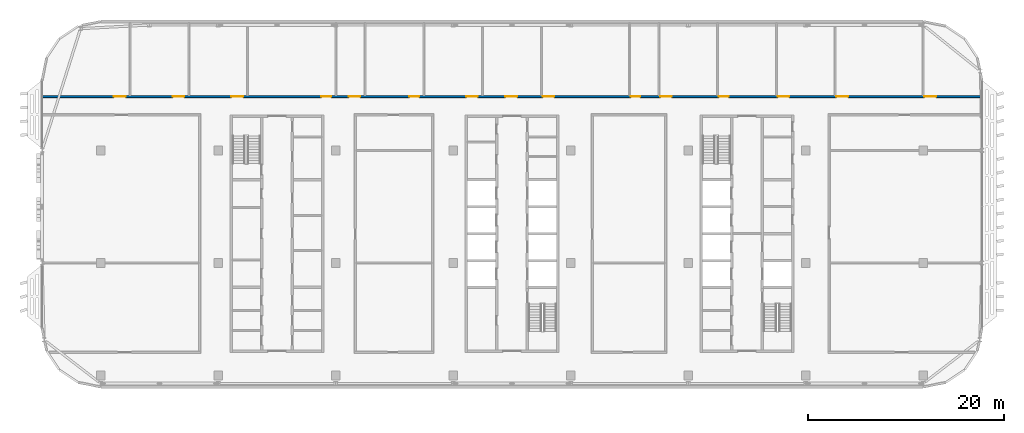
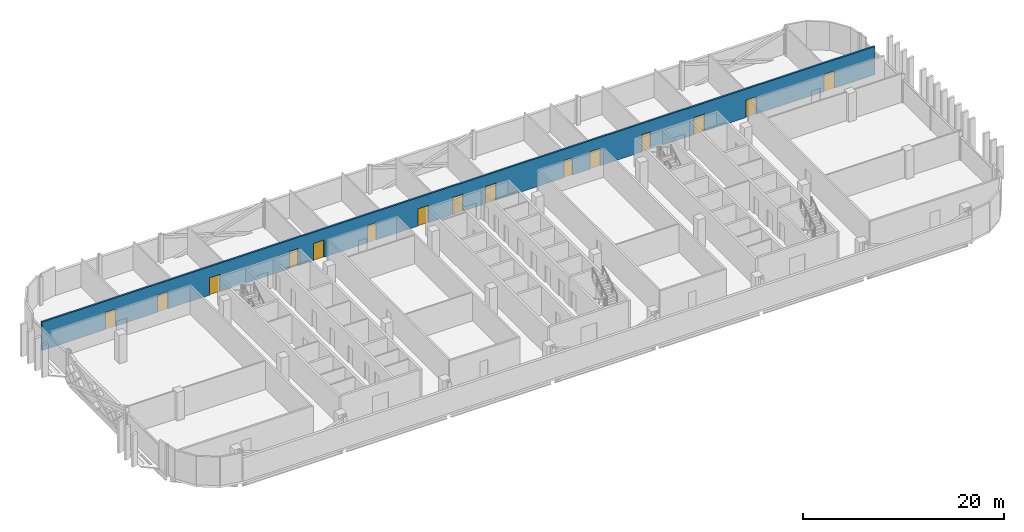
# One storey, part 13 of 25: 15 doors, 1 wall, 15 openings.
"""IFC4 building model written with IfcOpenShell, lengths in metres."""

from ifc_helpers import new_model, si_unit, direction, frame, frame_2d, origin, place, context, subcontext, project, spatial, rectangle, extrude, material, layer, layer_set, type_object, element, fill, save


model = new_model("IFC4")

# Units and contexts
model_context = context("Model", 3, precision=1e-05, world=origin(), true_north=direction((0.0, 1.0)))
body_context = subcontext(model_context, "Body", "Model", "MODEL_VIEW")
ifc_project = project(units=[si_unit("LENGTHUNIT", "METRE"), si_unit("AREAUNIT", "SQUARE_METRE"), si_unit("VOLUMEUNIT", "CUBIC_METRE"), si_unit("PLANEANGLEUNIT", "RADIAN"), si_unit("MASSUNIT", "GRAM", prefix="KILO")], contexts=[model_context])

# Site, building, storey
site_placement = place(None, origin())
site = spatial("IfcSite", under=ifc_project, at=site_placement, CompositionType="ELEMENT")
building_placement = place(site_placement, origin())
building = spatial("IfcBuilding", under=site, at=building_placement, Name="Mahtab Terrace Research Tower", CompositionType="ELEMENT")
storey_placement = place(building_placement, frame((0.0, 0.0, 278.5)))
storey = spatial("IfcBuildingStorey", under=building, at=storey_placement, Name="L68", CompositionType="ELEMENT", Elevation=278.5)

# Wall, openings, doors
ifc_material_1 = material(Name="Gypsum board corridor wall on steel studs", Category="steel")
ifc_layer = layer(ifc_material_1, 0.199951171875)
ifc_layer_set = layer_set([ifc_layer], Name="WALL CORRIDOR 200")
wall_type = type_object("IfcWallType", Name="WALL CORRIDOR 200", PredefinedType="PARTITIONING", material=ifc_layer_set)
wall_placement = place(storey_placement, frame((-47.97509765625, 17.0, 0.0), z_axis=(0.0, 0.0, 1.0), x_axis=(1.0, 0.0, 0.0)))
wall = element("IfcWall", 1, at=wall_placement, inside=storey, type_object=wall_type, Name="L68-W018", PredefinedType="PARTITIONING", context=body_context, shape_type="SweptSolid", body=[
    extrude(rectangle(XDim=95.9501953125, YDim=0.199951171875, at=frame_2d((47.97509765625, 0.0))), origin(), (0.0, 0.0, 1.0), 3.4599609375),
])
opening_1_placement = place(wall_placement, frame((7.300048828125, 0.0, 0.0)))
opening_1 = element("IfcOpeningElement", 2, at=opening_1_placement, cuts=wall, Name="Opening L68-111", PredefinedType="OPENING", context=body_context, shape_type="SweptSolid", body=[
    extrude(rectangle(XDim=1.199951171875, YDim=2.10009765625, at=frame_2d((0.60009765625, 1.050048828125))), frame((0.0, 0.10986328125, 0.0), z_axis=(0.0, -1.0, 0.0), x_axis=(1.0, 0.0, 0.0)), (0.0, 0.0, 1.0), 0.219970703125),
])
opening_2_placement = place(wall_placement, frame((13.300048828125, 0.0, 0.0)))
opening_2 = element("IfcOpeningElement", 3, at=opening_2_placement, cuts=wall, Name="Opening L68-112", PredefinedType="OPENING", context=body_context, shape_type="SweptSolid", body=[
    extrude(rectangle(XDim=1.199951171875, YDim=2.10009765625, at=frame_2d((0.60009765625, 1.050048828125))), frame((0.0, 0.10986328125, 0.0), z_axis=(0.0, -1.0, 0.0), x_axis=(1.0, 0.0, 0.0)), (0.0, 0.0, 1.0), 0.219970703125),
])
opening_3_placement = place(wall_placement, frame((19.300048828125, 0.0, 0.0)))
opening_3 = element("IfcOpeningElement", 4, at=opening_3_placement, cuts=wall, Name="Opening L68-113", PredefinedType="OPENING", context=body_context, shape_type="SweptSolid", body=[
    extrude(rectangle(XDim=1.199951171875, YDim=2.10009765625, at=frame_2d((0.60009765625, 1.050048828125))), frame((0.0, 0.10986328125, 0.0), z_axis=(0.0, -1.0, 0.0), x_axis=(1.0, 0.0, 0.0)), (0.0, 0.0, 1.0), 0.219970703125),
])
opening_4_placement = place(wall_placement, frame((28.5, 0.0, 0.0)))
opening_4 = element("IfcOpeningElement", 5, at=opening_4_placement, cuts=wall, Name="Opening L68-114", PredefinedType="OPENING", context=body_context, shape_type="SweptSolid", body=[
    extrude(rectangle(XDim=1.0, YDim=2.10009765625, at=frame_2d((0.5, 1.050048828125))), frame((0.0, 0.10986328125, 0.0), z_axis=(0.0, -1.0, 0.0), x_axis=(1.0, 0.0, 0.0)), (0.0, 0.0, 1.0), 0.219970703125),
])
opening_5_placement = place(wall_placement, frame((31.300048828125, 0.0, 0.0)))
opening_5 = element("IfcOpeningElement", 6, at=opening_5_placement, cuts=wall, Name="Opening L68-115", PredefinedType="OPENING", context=body_context, shape_type="SweptSolid", body=[
    extrude(rectangle(XDim=1.199951171875, YDim=2.10009765625, at=frame_2d((0.60009765625, 1.050048828125))), frame((0.0, 0.10986328125, 0.0), z_axis=(0.0, -1.0, 0.0), x_axis=(1.0, 0.0, 0.0)), (0.0, 0.0, 1.0), 0.219970703125),
])
opening_6_placement = place(wall_placement, frame((37.5, 0.0, 0.0)))
opening_6 = element("IfcOpeningElement", 7, at=opening_6_placement, cuts=wall, Name="Opening L68-116", PredefinedType="OPENING", context=body_context, shape_type="SweptSolid", body=[
    extrude(rectangle(XDim=1.0, YDim=2.10009765625, at=frame_2d((0.5, 1.050048828125))), frame((0.0, 0.10986328125, 0.0), z_axis=(0.0, -1.0, 0.0), x_axis=(1.0, 0.0, 0.0)), (0.0, 0.0, 1.0), 0.219970703125),
])
opening_7_placement = place(wall_placement, frame((43.300048828125, 0.0, 0.0)))
opening_7 = element("IfcOpeningElement", 8, at=opening_7_placement, cuts=wall, Name="Opening L68-117", PredefinedType="OPENING", context=body_context, shape_type="SweptSolid", body=[
    extrude(rectangle(XDim=1.199951171875, YDim=2.10009765625, at=frame_2d((0.60009765625, 1.050048828125))), frame((0.0, 0.10986328125, 0.0), z_axis=(0.0, -1.0, 0.0), x_axis=(1.0, 0.0, 0.0)), (0.0, 0.0, 1.0), 0.219970703125),
])
opening_8_placement = place(wall_placement, frame((47.300048828125, 0.0, 0.0)))
opening_8 = element("IfcOpeningElement", 9, at=opening_8_placement, cuts=wall, Name="Opening L68-118", PredefinedType="OPENING", context=body_context, shape_type="SweptSolid", body=[
    extrude(rectangle(XDim=1.199951171875, YDim=2.10009765625, at=frame_2d((0.60009765625, 1.050048828125))), frame((0.0, 0.10986328125, 0.0), z_axis=(0.0, -1.0, 0.0), x_axis=(1.0, 0.0, 0.0)), (0.0, 0.0, 1.0), 0.219970703125),
])
opening_9_placement = place(wall_placement, frame((51.10009765625, 0.0, 0.0)))
opening_9 = element("IfcOpeningElement", 10, at=opening_9_placement, cuts=wall, Name="Opening L68-119", PredefinedType="OPENING", context=body_context, shape_type="SweptSolid", body=[
    extrude(rectangle(XDim=1.199951171875, YDim=2.10009765625, at=frame_2d((0.60009765625, 1.050048828125))), frame((0.0, 0.10986328125, 0.0), z_axis=(0.0, -1.0, 0.0), x_axis=(1.0, 0.0, 0.0)), (0.0, 0.0, 1.0), 0.219970703125),
])
opening_10_placement = place(wall_placement, frame((60.10009765625, 0.0, 0.0)))
opening_10 = element("IfcOpeningElement", 11, at=opening_10_placement, cuts=wall, Name="Opening L68-120", PredefinedType="OPENING", context=body_context, shape_type="SweptSolid", body=[
    extrude(rectangle(XDim=1.0, YDim=2.10009765625, at=frame_2d((0.5, 1.050048828125))), frame((0.0, 0.10986328125, 0.0), z_axis=(0.0, -1.0, 0.0), x_axis=(1.0, 0.0, 0.0)), (0.0, 0.0, 1.0), 0.219970703125),
])
opening_11_placement = place(wall_placement, frame((63.10009765625, 0.0, 0.0)))
opening_11 = element("IfcOpeningElement", 12, at=opening_11_placement, cuts=wall, Name="Opening L68-121", PredefinedType="OPENING", context=body_context, shape_type="SweptSolid", body=[
    extrude(rectangle(XDim=1.199951171875, YDim=2.10009765625, at=frame_2d((0.60009765625, 1.050048828125))), frame((0.0, 0.10986328125, 0.0), z_axis=(0.0, -1.0, 0.0), x_axis=(1.0, 0.0, 0.0)), (0.0, 0.0, 1.0), 0.219970703125),
])
opening_12_placement = place(wall_placement, frame((69.10009765625, 0.0, 0.0)))
opening_12 = element("IfcOpeningElement", 13, at=opening_12_placement, cuts=wall, Name="Opening L68-122", PredefinedType="OPENING", context=body_context, shape_type="SweptSolid", body=[
    extrude(rectangle(XDim=1.0, YDim=2.10009765625, at=frame_2d((0.5, 1.050048828125))), frame((0.0, 0.10986328125, 0.0), z_axis=(0.0, -1.0, 0.0), x_axis=(1.0, 0.0, 0.0)), (0.0, 0.0, 1.0), 0.219970703125),
])
opening_13_placement = place(wall_placement, frame((75.10009765625, 0.0, 0.0)))
opening_13 = element("IfcOpeningElement", 14, at=opening_13_placement, cuts=wall, Name="Opening L68-123", PredefinedType="OPENING", context=body_context, shape_type="SweptSolid", body=[
    extrude(rectangle(XDim=1.199951171875, YDim=2.10009765625, at=frame_2d((0.60009765625, 1.050048828125))), frame((0.0, 0.10986328125, 0.0), z_axis=(0.0, -1.0, 0.0), x_axis=(1.0, 0.0, 0.0)), (0.0, 0.0, 1.0), 0.219970703125),
])
opening_14_placement = place(wall_placement, frame((81.10009765625, 0.0, 0.0)))
opening_14 = element("IfcOpeningElement", 15, at=opening_14_placement, cuts=wall, Name="Opening L68-124", PredefinedType="OPENING", context=body_context, shape_type="SweptSolid", body=[
    extrude(rectangle(XDim=1.199951171875, YDim=2.10009765625, at=frame_2d((0.60009765625, 1.050048828125))), frame((0.0, 0.10986328125, 0.0), z_axis=(0.0, -1.0, 0.0), x_axis=(1.0, 0.0, 0.0)), (0.0, 0.0, 1.0), 0.219970703125),
])
opening_15_placement = place(wall_placement, frame((90.10009765625, 0.0, 0.0)))
opening_15 = element("IfcOpeningElement", 16, at=opening_15_placement, cuts=wall, Name="Opening L68-125", PredefinedType="OPENING", context=body_context, shape_type="SweptSolid", body=[
    extrude(rectangle(XDim=1.199951171875, YDim=2.10009765625, at=frame_2d((0.60009765625, 1.050048828125))), frame((0.0, 0.10986328125, 0.0), z_axis=(0.0, -1.0, 0.0), x_axis=(1.0, 0.0, 0.0)), (0.0, 0.0, 1.0), 0.219970703125),
])
ifc_material_2 = material(Name="Timber door leaf in steel frame", Category="steel")
door_type_1 = type_object("IfcDoorType", Name="DOOR 1000X2100 FD30S", OperationType="SINGLE_SWING_LEFT", PredefinedType="DOOR", material=ifc_material_2)
door_1_placement = place(opening_4_placement, origin())
door_1 = element("IfcDoor", 17, at=door_1_placement, inside=storey, type_object=door_type_1, Name="Door L68-114", OperationType="SINGLE_SWING_LEFT", OverallHeight=2.10009765625, OverallWidth=1.0, PredefinedType="DOOR", context=body_context, shape_type="SweptSolid", body=[
    extrude(rectangle(XDim=1.0, YDim=2.10009765625, at=frame_2d((0.5, 1.050048828125))), frame((0.0, 0.02490234375, 0.0), z_axis=(0.0, -1.0, 0.0), x_axis=(1.0, 0.0, 0.0)), (0.0, 0.0, 1.0), 0.050048828125),
])
fill(opening_4, door_1)
door_2_placement = place(opening_6_placement, origin())
door_2 = element("IfcDoor", 18, at=door_2_placement, inside=storey, type_object=door_type_1, Name="Door L68-116", OperationType="SINGLE_SWING_LEFT", OverallHeight=2.10009765625, OverallWidth=1.0, PredefinedType="DOOR", context=body_context, shape_type="SweptSolid", body=[
    extrude(rectangle(XDim=1.0, YDim=2.10009765625, at=frame_2d((0.5, 1.050048828125))), frame((0.0, 0.02490234375, 0.0), z_axis=(0.0, -1.0, 0.0), x_axis=(1.0, 0.0, 0.0)), (0.0, 0.0, 1.0), 0.050048828125),
])
fill(opening_6, door_2)
door_3_placement = place(opening_10_placement, origin())
door_3 = element("IfcDoor", 19, at=door_3_placement, inside=storey, type_object=door_type_1, Name="Door L68-120", OperationType="SINGLE_SWING_RIGHT", OverallHeight=2.10009765625, OverallWidth=1.0, PredefinedType="DOOR", context=body_context, shape_type="SweptSolid", body=[
    extrude(rectangle(XDim=1.0, YDim=2.10009765625, at=frame_2d((0.5, 1.050048828125))), frame((0.0, 0.02490234375, 0.0), z_axis=(0.0, -1.0, 0.0), x_axis=(1.0, 0.0, 0.0)), (0.0, 0.0, 1.0), 0.050048828125),
])
fill(opening_10, door_3)
door_4_placement = place(opening_12_placement, origin())
door_4 = element("IfcDoor", 20, at=door_4_placement, inside=storey, type_object=door_type_1, Name="Door L68-122", OperationType="SINGLE_SWING_RIGHT", OverallHeight=2.10009765625, OverallWidth=1.0, PredefinedType="DOOR", context=body_context, shape_type="SweptSolid", body=[
    extrude(rectangle(XDim=1.0, YDim=2.10009765625, at=frame_2d((0.5, 1.050048828125))), frame((0.0, 0.02490234375, 0.0), z_axis=(0.0, -1.0, 0.0), x_axis=(1.0, 0.0, 0.0)), (0.0, 0.0, 1.0), 0.050048828125),
])
fill(opening_12, door_4)
door_type_2 = type_object("IfcDoorType", Name="DOOR 1200X2100 FD30S", OperationType="SINGLE_SWING_LEFT", PredefinedType="DOOR", material=ifc_material_2)
door_5_placement = place(opening_1_placement, origin())
door_5 = element("IfcDoor", 21, at=door_5_placement, inside=storey, type_object=door_type_2, Name="Door L68-111", OperationType="SINGLE_SWING_LEFT", OverallHeight=2.10009765625, OverallWidth=1.199951171875, PredefinedType="DOOR", context=body_context, shape_type="SweptSolid", body=[
    extrude(rectangle(XDim=1.199951171875, YDim=2.10009765625, at=frame_2d((0.60009765625, 1.050048828125))), frame((0.0, 0.02490234375, 0.0), z_axis=(0.0, -1.0, 0.0), x_axis=(1.0, 0.0, 0.0)), (0.0, 0.0, 1.0), 0.050048828125),
])
fill(opening_1, door_5)
door_6_placement = place(opening_2_placement, origin())
door_6 = element("IfcDoor", 22, at=door_6_placement, inside=storey, type_object=door_type_2, Name="Door L68-112", OperationType="SINGLE_SWING_LEFT", OverallHeight=2.10009765625, OverallWidth=1.199951171875, PredefinedType="DOOR", context=body_context, shape_type="SweptSolid", body=[
    extrude(rectangle(XDim=1.199951171875, YDim=2.10009765625, at=frame_2d((0.60009765625, 1.050048828125))), frame((0.0, 0.02490234375, 0.0), z_axis=(0.0, -1.0, 0.0), x_axis=(1.0, 0.0, 0.0)), (0.0, 0.0, 1.0), 0.050048828125),
])
fill(opening_2, door_6)
door_7_placement = place(opening_3_placement, origin())
door_7 = element("IfcDoor", 23, at=door_7_placement, inside=storey, type_object=door_type_2, Name="Door L68-113", OperationType="SINGLE_SWING_LEFT", OverallHeight=2.10009765625, OverallWidth=1.199951171875, PredefinedType="DOOR", context=body_context, shape_type="SweptSolid", body=[
    extrude(rectangle(XDim=1.199951171875, YDim=2.10009765625, at=frame_2d((0.60009765625, 1.050048828125))), frame((0.0, 0.02490234375, 0.0), z_axis=(0.0, -1.0, 0.0), x_axis=(1.0, 0.0, 0.0)), (0.0, 0.0, 1.0), 0.050048828125),
])
fill(opening_3, door_7)
door_8_placement = place(opening_5_placement, origin())
door_8 = element("IfcDoor", 24, at=door_8_placement, inside=storey, type_object=door_type_2, Name="Door L68-115", OperationType="SINGLE_SWING_LEFT", OverallHeight=2.10009765625, OverallWidth=1.199951171875, PredefinedType="DOOR", context=body_context, shape_type="SweptSolid", body=[
    extrude(rectangle(XDim=1.199951171875, YDim=2.10009765625, at=frame_2d((0.60009765625, 1.050048828125))), frame((0.0, 0.02490234375, 0.0), z_axis=(0.0, -1.0, 0.0), x_axis=(1.0, 0.0, 0.0)), (0.0, 0.0, 1.0), 0.050048828125),
])
fill(opening_5, door_8)
door_9_placement = place(opening_7_placement, origin())
door_9 = element("IfcDoor", 25, at=door_9_placement, inside=storey, type_object=door_type_2, Name="Door L68-117", OperationType="SINGLE_SWING_LEFT", OverallHeight=2.10009765625, OverallWidth=1.199951171875, PredefinedType="DOOR", context=body_context, shape_type="SweptSolid", body=[
    extrude(rectangle(XDim=1.199951171875, YDim=2.10009765625, at=frame_2d((0.60009765625, 1.050048828125))), frame((0.0, 0.02490234375, 0.0), z_axis=(0.0, -1.0, 0.0), x_axis=(1.0, 0.0, 0.0)), (0.0, 0.0, 1.0), 0.050048828125),
])
fill(opening_7, door_9)
door_10_placement = place(opening_8_placement, origin())
door_10 = element("IfcDoor", 26, at=door_10_placement, inside=storey, type_object=door_type_2, Name="Door L68-118", OperationType="SINGLE_SWING_RIGHT", OverallHeight=2.10009765625, OverallWidth=1.199951171875, PredefinedType="DOOR", context=body_context, shape_type="SweptSolid", body=[
    extrude(rectangle(XDim=1.199951171875, YDim=2.10009765625, at=frame_2d((0.60009765625, 1.050048828125))), frame((0.0, 0.02490234375, 0.0), z_axis=(0.0, -1.0, 0.0), x_axis=(1.0, 0.0, 0.0)), (0.0, 0.0, 1.0), 0.050048828125),
])
fill(opening_8, door_10)
door_11_placement = place(opening_9_placement, origin())
door_11 = element("IfcDoor", 27, at=door_11_placement, inside=storey, type_object=door_type_2, Name="Door L68-119", OperationType="SINGLE_SWING_RIGHT", OverallHeight=2.10009765625, OverallWidth=1.199951171875, PredefinedType="DOOR", context=body_context, shape_type="SweptSolid", body=[
    extrude(rectangle(XDim=1.199951171875, YDim=2.10009765625, at=frame_2d((0.60009765625, 1.050048828125))), frame((0.0, 0.02490234375, 0.0), z_axis=(0.0, -1.0, 0.0), x_axis=(1.0, 0.0, 0.0)), (0.0, 0.0, 1.0), 0.050048828125),
])
fill(opening_9, door_11)
door_12_placement = place(opening_11_placement, origin())
door_12 = element("IfcDoor", 28, at=door_12_placement, inside=storey, type_object=door_type_2, Name="Door L68-121", OperationType="SINGLE_SWING_RIGHT", OverallHeight=2.10009765625, OverallWidth=1.199951171875, PredefinedType="DOOR", context=body_context, shape_type="SweptSolid", body=[
    extrude(rectangle(XDim=1.199951171875, YDim=2.10009765625, at=frame_2d((0.60009765625, 1.050048828125))), frame((0.0, 0.02490234375, 0.0), z_axis=(0.0, -1.0, 0.0), x_axis=(1.0, 0.0, 0.0)), (0.0, 0.0, 1.0), 0.050048828125),
])
fill(opening_11, door_12)
door_13_placement = place(opening_13_placement, origin())
door_13 = element("IfcDoor", 29, at=door_13_placement, inside=storey, type_object=door_type_2, Name="Door L68-123", OperationType="SINGLE_SWING_RIGHT", OverallHeight=2.10009765625, OverallWidth=1.199951171875, PredefinedType="DOOR", context=body_context, shape_type="SweptSolid", body=[
    extrude(rectangle(XDim=1.199951171875, YDim=2.10009765625, at=frame_2d((0.60009765625, 1.050048828125))), frame((0.0, 0.02490234375, 0.0), z_axis=(0.0, -1.0, 0.0), x_axis=(1.0, 0.0, 0.0)), (0.0, 0.0, 1.0), 0.050048828125),
])
fill(opening_13, door_13)
door_14_placement = place(opening_14_placement, origin())
door_14 = element("IfcDoor", 30, at=door_14_placement, inside=storey, type_object=door_type_2, Name="Door L68-124", OperationType="SINGLE_SWING_RIGHT", OverallHeight=2.10009765625, OverallWidth=1.199951171875, PredefinedType="DOOR", context=body_context, shape_type="SweptSolid", body=[
    extrude(rectangle(XDim=1.199951171875, YDim=2.10009765625, at=frame_2d((0.60009765625, 1.050048828125))), frame((0.0, 0.02490234375, 0.0), z_axis=(0.0, -1.0, 0.0), x_axis=(1.0, 0.0, 0.0)), (0.0, 0.0, 1.0), 0.050048828125),
])
fill(opening_14, door_14)
door_15_placement = place(opening_15_placement, origin())
door_15 = element("IfcDoor", 31, at=door_15_placement, inside=storey, type_object=door_type_2, Name="Door L68-125", OperationType="SINGLE_SWING_RIGHT", OverallHeight=2.10009765625, OverallWidth=1.199951171875, PredefinedType="DOOR", context=body_context, shape_type="SweptSolid", body=[
    extrude(rectangle(XDim=1.199951171875, YDim=2.10009765625, at=frame_2d((0.60009765625, 1.050048828125))), frame((0.0, 0.02490234375, 0.0), z_axis=(0.0, -1.0, 0.0), x_axis=(1.0, 0.0, 0.0)), (0.0, 0.0, 1.0), 0.050048828125),
])
fill(opening_15, door_15)

save(model, "model.ifc")
